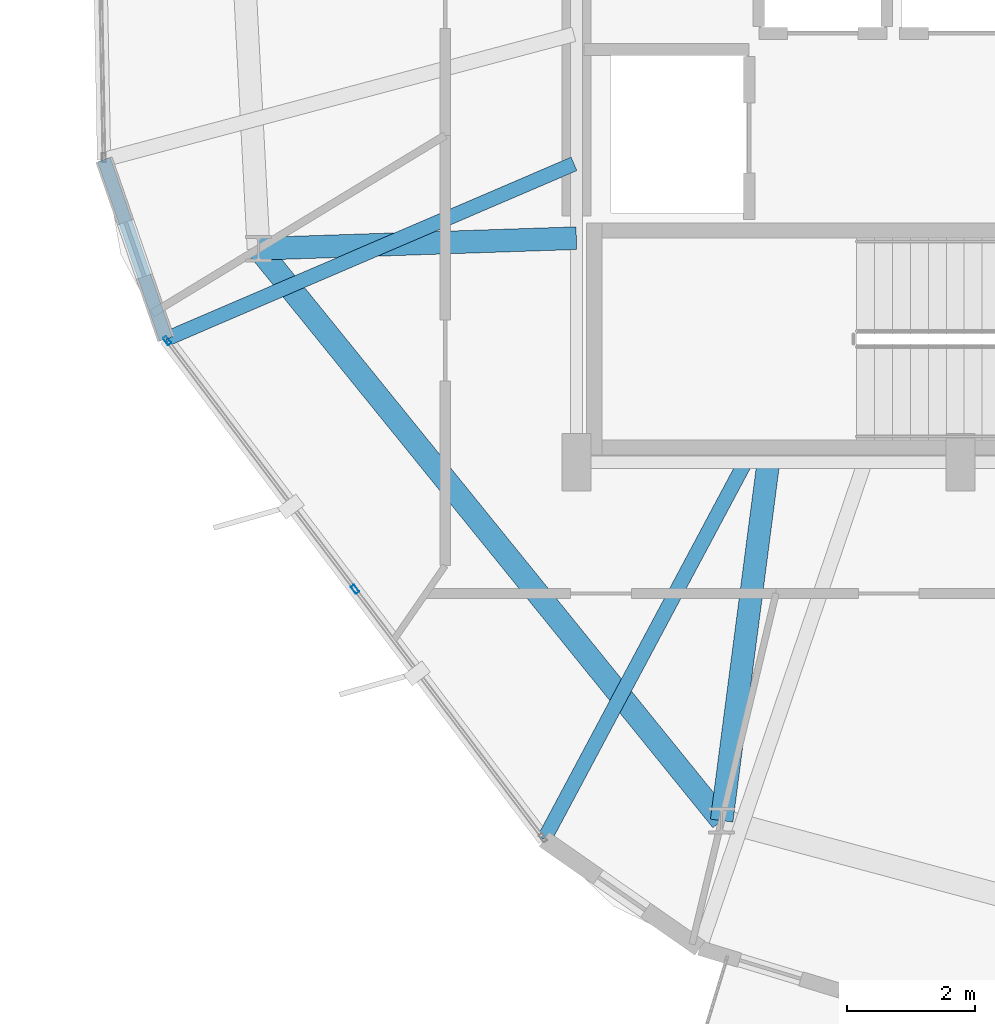
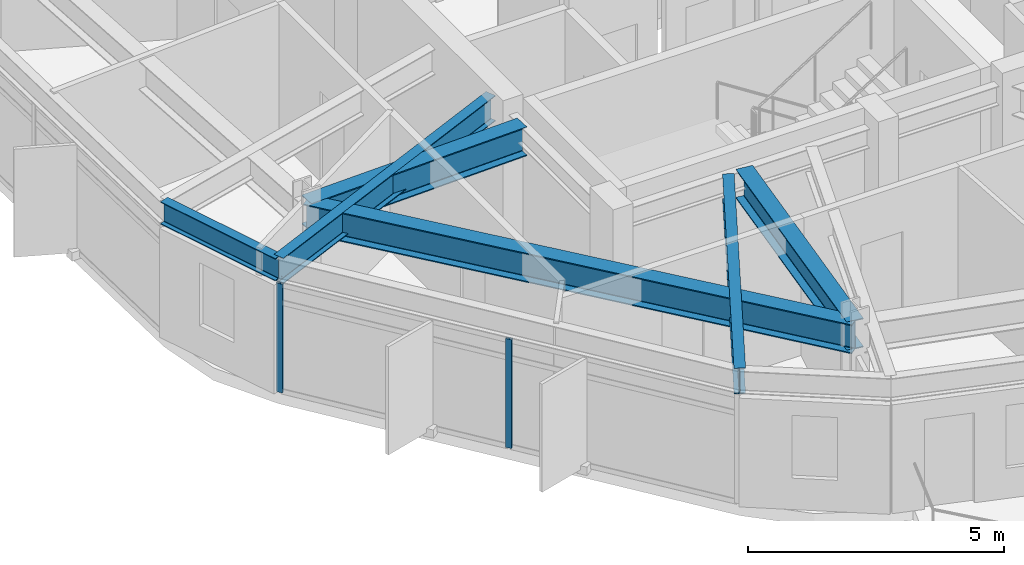
# One storey, part 4 of 34: 6 beams, 2 members, 1 element without a shape of its own.
"""IFC4 building model written with IfcOpenShell, lengths in metres."""

import ifcopenshell
import ifcopenshell.guid

model = None  # the IFC model being written
_history = None  # IfcOwnerHistory: only IFC2X3 demands one
_inside = {}  # id of a spatial element -> (the spatial element, [elements in it])
_under = {}  # id of a project, library or spatial element -> (it, [spatial elements below it])
_declared = {}  # id of a project -> (the project, [libraries it declares])
_typed = {}  # id of a type object -> (the type object, [elements of that type])
_made_of = {}  # id of a material, layer set ... -> (it, [elements and type objects made of it])


def new_model(schema):
    """Start an empty IFC model of exactly this schema.

    Asked for "IFC4X3", IfcOpenShell would pick the latest addendum, in which some entities
    have other attributes; the version numbers below select the first issue.
    IFC2X3 requires an IfcOwnerHistory on every rooted entity: one is made here for all.
    """
    global model, _history
    if schema == "IFC4X3":
        model = ifcopenshell.file(schema_version=(4, 3, 0, 0))
    else:
        model = ifcopenshell.file(schema=schema)
    _inside.clear()
    _under.clear()
    _declared.clear()
    _typed.clear()
    _made_of.clear()
    _history = None
    if model.schema == "IFC2X3":
        org = make("IfcOrganization", Name="unknown")
        user = make(
            "IfcPersonAndOrganization",
            ThePerson=make("IfcPerson", FamilyName="unknown"),
            TheOrganization=org,
        )
        app = make(
            "IfcApplication",
            ApplicationDeveloper=org,
            Version="unknown",
            ApplicationFullName="unknown",
            ApplicationIdentifier="unknown",
        )
        _history = make(
            "IfcOwnerHistory",
            OwningUser=user,
            OwningApplication=app,
            ChangeAction="ADDED",
            CreationDate=0,
        )
    return model


def make(cls, **values):
    """One entity of the class cls with the attributes given. An attribute that is None is left unset."""
    return model.create_entity(
        cls, **{name: value for name, value in values.items() if value is not None}
    )


def rooted(cls, **values):
    """An entity with a GlobalId (a new one), such as an element, a storey or a relation."""
    return make(cls, GlobalId=ifcopenshell.guid.new(), OwnerHistory=_history, **values)


def si_unit(unit_type, name, prefix=None):
    """IfcSIUnit, for example si_unit("LENGTHUNIT", "METRE", prefix="MILLI")."""
    return make("IfcSIUnit", UnitType=unit_type, Prefix=prefix, Name=name)


def assignment(units):
    """IfcUnitAssignment: the units of a project."""
    return None if units is None else make("IfcUnitAssignment", Units=units)


def point(xyz):
    """IfcCartesianPoint."""
    return None if xyz is None else make("IfcCartesianPoint", Coordinates=xyz)


def direction(xyz):
    """IfcDirection."""
    return None if xyz is None else make("IfcDirection", DirectionRatios=xyz)


def frame(location, z_axis=None, x_axis=None):
    """IfcAxis2Placement3D, a coordinate frame: its origin and axes. An axis left out is left unset."""
    return make(
        "IfcAxis2Placement3D",
        Location=point(location),
        Axis=direction(z_axis),
        RefDirection=direction(x_axis),
    )


def frame_2d(location, x_axis=None):
    """IfcAxis2Placement2D, a coordinate frame in the plane: its origin and x axis."""
    return make(
        "IfcAxis2Placement2D", Location=point(location), RefDirection=direction(x_axis)
    )


def origin():
    """The frame at (0, 0, 0) with its axes left unset."""
    return frame((0.0, 0.0, 0.0))


def origin_2d():
    """The frame at (0, 0) in the plane with its x axis left unset."""
    return frame_2d((0.0, 0.0))


def place(relative_to, where):
    """IfcLocalPlacement: puts the frame where relative to a parent placement (None: the world)."""
    return make(
        "IfcLocalPlacement", PlacementRelTo=relative_to, RelativePlacement=where
    )


def context(
    kind, dimensions, precision=None, world=None, true_north=None, identifier=None
):
    """IfcGeometricRepresentationContext, for example the 3D "Model" context."""
    return make(
        "IfcGeometricRepresentationContext",
        ContextIdentifier=identifier,
        ContextType=kind,
        CoordinateSpaceDimension=dimensions,
        Precision=precision,
        WorldCoordinateSystem=world,
        TrueNorth=true_north,
    )


def subcontext(parent, identifier, kind, view, scale=None):
    """IfcGeometricRepresentationSubContext, for example "Body" below "Model"."""
    return make(
        "IfcGeometricRepresentationSubContext",
        ContextIdentifier=identifier,
        ContextType=kind,
        ParentContext=parent,
        TargetScale=scale,
        TargetView=view,
    )


def project(units=None, contexts=None):
    """IfcProject with its units and contexts."""
    return rooted(
        "IfcProject",
        Name="project",
        RepresentationContexts=contexts,
        UnitsInContext=assignment(units),
    )


def spatial(cls, under=None, at=None, **own):
    """A site, building, storey or space (cls), placed at a placement, below another one or the project."""
    s = rooted(cls, ObjectPlacement=at, **own)
    if under is not None:
        _under.setdefault(under.id(), (under, []))[1].append(s)
    return s


def profile(cls, at=None, kind="AREA", **sizes):
    """A parametric profile (cls). Its sizes go by their IFC names, for example OverallWidth=200.0."""
    return make(cls, ProfileType=kind, Position=at, **sizes)


def hollow_rectangle(**sizes):
    """IfcRectangleHollowProfileDef."""
    return profile("IfcRectangleHollowProfileDef", **sizes)


def i_section(**sizes):
    """IfcIShapeProfileDef."""
    return profile("IfcIShapeProfileDef", **sizes)


def extrude(swept, where, along, depth):
    """IfcExtrudedAreaSolid: the profile swept, set in the frame where, extruded along a direction by depth."""
    return make(
        "IfcExtrudedAreaSolid",
        SweptArea=swept,
        Position=where,
        ExtrudedDirection=direction(along),
        Depth=depth,
    )


def shape(context_of_items, identifier, shape_type, items):
    """IfcShapeRepresentation: the items that make up one representation, for example the "Body"."""
    return make(
        "IfcShapeRepresentation",
        ContextOfItems=context_of_items,
        RepresentationIdentifier=identifier,
        RepresentationType=shape_type,
        Items=items,
    )


def material(Name=None, Category=None):
    """IfcMaterial."""
    return make("IfcMaterial", Name=Name, Category=Category)


def layer(
    of_material, thickness, ventilated=None, Name=None, Category=None, Priority=None
):
    """IfcMaterialLayer: one layer of a wall or slab, of a material (None: an air gap)."""
    return make(
        "IfcMaterialLayer",
        Material=of_material,
        LayerThickness=thickness,
        IsVentilated=ventilated,
        Name=Name,
        Category=Category,
        Priority=Priority,
    )


def layer_set(layers, Name=None):
    """IfcMaterialLayerSet."""
    return make("IfcMaterialLayerSet", MaterialLayers=layers, LayerSetName=Name)


def material_profile(
    of_material, cross_section, Name=None, Category=None, Priority=None
):
    """IfcMaterialProfile: a cross section and its material."""
    return make(
        "IfcMaterialProfile",
        Name=Name,
        Material=of_material,
        Profile=cross_section,
        Priority=Priority,
        Category=Category,
    )


def profile_set(profiles, Name=None, composite=None):
    """IfcMaterialProfileSet."""
    return make(
        "IfcMaterialProfileSet",
        Name=Name,
        MaterialProfiles=profiles,
        CompositeProfile=composite,
    )


def made_of(thing, what):
    """Note that an element or type object is made of a material, layer set ...; save() writes the relation."""
    if what is not None:
        _made_of.setdefault(what.id(), (what, []))[1].append(thing)
    return thing


def type_object(cls, material=None, **own):
    """A type object (cls), such as IfcWallType, which elements share."""
    return made_of(rooted(cls, **own), material)


def element(
    cls,
    number,
    at=None,
    inside=None,
    cuts=None,
    type_object=None,
    material=None,
    context=None,
    identifier="Body",
    shape_type=None,
    held_by="IfcProductDefinitionShape",
    body=None,
    shapes=None,
    **own,
):
    """One element of the class cls, such as IfcWall. Its Tag is "e" and its number.

    at: its placement. inside: the storey or other place that contains it. cuts: it is an
    opening in that element (IfcRelVoidsElement). A single representation is given by context,
    identifier, shape_type and body (its items); several are given by shapes. held_by: the class
    of the entity that holds the representations. save() writes the other relations.
    """
    e = rooted(cls, Tag="e%d" % number, ObjectPlacement=at, **own)
    if body is not None:
        shapes = [shape(context, identifier, shape_type, body)]
    if shapes is not None:
        e.Representation = make(held_by, Representations=shapes)
    if inside is not None:
        _inside.setdefault(inside.id(), (inside, []))[1].append(e)
    if cuts is not None:
        rooted(
            "IfcRelVoidsElement", RelatingBuildingElement=cuts, RelatedOpeningElement=e
        )
    if type_object is not None:
        _typed.setdefault(type_object.id(), (type_object, []))[1].append(e)
    return made_of(e, material)


def aggregate(whole, parts):
    """IfcRelAggregates: a whole, such as a stair, and the parts it consists of."""
    return rooted("IfcRelAggregates", RelatingObject=whole, RelatedObjects=parts)


def save(model, path):
    """Write the relations noted so far, then the file.

    IfcRelAggregates (storeys below a building ...), IfcRelContainedInSpatialStructure (elements
    in a storey), IfcRelDefinesByType, IfcRelAssociatesMaterial and IfcRelDeclares: one each for
    every whole, place, type object, material and project.
    """
    for whole, parts in _under.values():
        aggregate(whole, parts)
    for where, things in _inside.values():
        rooted(
            "IfcRelContainedInSpatialStructure",
            RelatedElements=things,
            RelatingStructure=where,
        )
    for kind, things in _typed.values():
        rooted("IfcRelDefinesByType", RelatedObjects=things, RelatingType=kind)
    for what, things in _made_of.values():
        rooted("IfcRelAssociatesMaterial", RelatedObjects=things, RelatingMaterial=what)
    for by, libraries in _declared.values():
        rooted("IfcRelDeclares", RelatingContext=by, RelatedDefinitions=libraries)
    model.write(path)


model = new_model("IFC4")

# Units and contexts
model_context = context("Model", 3, precision=1e-05, world=origin(), true_north=direction((0.0, 1.0)))
body_context = subcontext(model_context, "Body", "Model", "MODEL_VIEW")
ifc_project = project(units=[si_unit("LENGTHUNIT", "METRE"), si_unit("AREAUNIT", "SQUARE_METRE"), si_unit("VOLUMEUNIT", "CUBIC_METRE"), si_unit("PLANEANGLEUNIT", "RADIAN"), si_unit("MASSUNIT", "GRAM", prefix="KILO")], contexts=[model_context])

# Site, building, storey
site_placement = place(None, origin())
site = spatial("IfcSite", under=ifc_project, at=site_placement, CompositionType="ELEMENT")
building_placement = place(site_placement, origin())
building = spatial("IfcBuilding", under=site, at=building_placement, Name="Soratama Intermodal Tower", CompositionType="ELEMENT")
storey_placement = place(building_placement, frame((0.0, 0.0, 233.800048828125)))
storey = spatial("IfcBuildingStorey", under=building, at=storey_placement, Name="L59", CompositionType="ELEMENT", Elevation=233.800048828125)

# Beams
ifc_material_1 = material(Name="Structural steel ASTM A992 Grade 50", Category="steel")
ifc_material_profile_1 = material_profile(ifc_material_1, i_section(OverallWidth=0.35498046875, OverallDepth=0.695068359375, WebThickness=0.015380859375, FlangeThickness=0.02490234375, FilletRadius=0.01611328125, at=origin_2d()), Name="W27X146")
ifc_profile_set_1 = profile_set([ifc_material_profile_1], Name="Structural steel ASTM A992 Grade 50")
beam_type_1 = type_object("IfcBeamType", Name="BM-RING-W27X146", PredefinedType="BEAM", material=ifc_profile_set_1)
beam_1_placement = place(storey_placement, frame((27.635009765625, 18.333984375, 2.87255859375), z_axis=(0.629384551156, -0.777094001242, 0.0), x_axis=(0.777094001242, 0.629384551156, 0.0)))
element("IfcBeam", 1, at=beam_1_placement, inside=storey, type_object=beam_type_1, Name="BM-L59-RING-06", PredefinedType="BEAM", context=body_context, shape_type="SweptSolid", body=[
    extrude(i_section(OverallWidth=0.35498046875, OverallDepth=0.695068359375, WebThickness=0.015380859375, FlangeThickness=0.02490234375, FilletRadius=0.01611328125, at=origin_2d()), origin(), (0.0, 0.0, 1.0), 11.49560546875),
])
beam_2_placement = place(storey_placement, frame((32.60009765625, 18.5, 2.87255859375), z_axis=(-0.999441465401, -0.033417917907, 0.0), x_axis=(0.033417917907, -0.999441465401, 0.0)))
element("IfcBeam", 2, at=beam_2_placement, inside=storey, type_object=beam_type_1, Name="BM-L59-RAD-06", PredefinedType="BEAM", context=body_context, shape_type="SweptSolid", body=[
    extrude(i_section(OverallWidth=0.35498046875, OverallDepth=0.695068359375, WebThickness=0.015380859375, FlangeThickness=0.02490234375, FilletRadius=0.01611328125, at=origin_2d()), origin(), (0.0, 0.0, 1.0), 4.9677734375),
])
beam_3_placement = place(storey_placement, frame((35.60009765625, 15.0, 2.87255859375), z_axis=(-0.129280033694, -0.991608124658, 0.0), x_axis=(0.991608124658, -0.129280033694, 0.0)))
element("IfcBeam", 3, at=beam_3_placement, inside=storey, type_object=beam_type_1, Name="BM-L59-RAD-07", PredefinedType="BEAM", context=body_context, shape_type="SweptSolid", body=[
    extrude(i_section(OverallWidth=0.35498046875, OverallDepth=0.695068359375, WebThickness=0.015380859375, FlangeThickness=0.02490234375, FilletRadius=0.01611328125, at=origin_2d()), origin(), (0.0, 0.0, 1.0), 5.646484375),
])
ifc_material_2 = material(Name="Structural steel ASTM A992 Grade 50", Category="steel")
ifc_material_profile_2 = material_profile(ifc_material_2, i_section(OverallWidth=0.2099609375, OverallDepth=0.537109375, WebThickness=0.010986328125, FlangeThickness=0.017333984375, FilletRadius=0.012939453125, at=origin_2d()), Name="W21X68")
ifc_profile_set_2 = profile_set([ifc_material_profile_2], Name="Structural steel ASTM A992 Grade 50")
beam_type_2 = type_object("IfcBeamType", Name="BM-SPN-W21X68", PredefinedType="SPANDREL", material=ifc_profile_set_2)
beam_4_placement = place(storey_placement, frame((25.218994140625, 19.72705078125, 2.951416015625), z_axis=(0.327022923198, -0.94501640605, 0.0), x_axis=(0.94501640605, 0.327022923198, 0.0)))
element("IfcBeam", 4, at=beam_4_placement, inside=storey, type_object=beam_type_2, Name="BS-L59-CRN04", PredefinedType="SPANDREL", context=body_context, shape_type="SweptSolid", body=[
    extrude(i_section(OverallWidth=0.2099609375, OverallDepth=0.537109375, WebThickness=0.010986328125, FlangeThickness=0.017333984375, FilletRadius=0.012939453125, at=origin_2d()), origin(), (0.0, 0.0, 1.0), 2.966064453125),
])
ifc_material_3 = material(Name="Structural steel ASTM A992 Grade 50", Category="steel")
ifc_material_profile_3 = material_profile(ifc_material_3, i_section(OverallWidth=0.22900390625, OverallDepth=0.612060546875, WebThickness=0.011962890625, FlangeThickness=0.01953125, FilletRadius=0.012939453125, at=origin_2d()), Name="W24X84")
ifc_profile_set_3 = profile_set([ifc_material_profile_3], Name="Structural steel ASTM A992 Grade 50")
beam_type_3 = type_object("IfcBeamType", Name="BM-TIE-W24X84", PredefinedType="BEAM", material=ifc_profile_set_3)
beam_5_placement = place(storey_placement, frame((32.56298828125, 19.660888671875, 2.9140625), z_axis=(-0.918879035561, -0.394539374469, 0.0), x_axis=(0.394539374469, -0.918879035561, 0.0)))
element("IfcBeam", 5, at=beam_5_placement, inside=storey, type_object=beam_type_3, Name="BM-L59-TIE0-05", PredefinedType="BEAM", context=body_context, shape_type="SweptSolid", body=[
    extrude(i_section(OverallWidth=0.22900390625, OverallDepth=0.612060546875, WebThickness=0.011962890625, FlangeThickness=0.01953125, FilletRadius=0.012939453125, at=origin_2d()), origin(), (0.0, 0.0, 1.0), 6.936767578125),
])
beam_6_placement = place(storey_placement, frame((35.219970703125, 14.965087890625, 2.9140625), z_axis=(-0.470550061966, -0.882373299224, 0.0), x_axis=(0.882373299224, -0.470550061966, 0.0)))
element("IfcBeam", 6, at=beam_6_placement, inside=storey, type_object=beam_type_3, Name="BM-L59-TIE1-05", PredefinedType="BEAM", context=body_context, shape_type="SweptSolid", body=[
    extrude(i_section(OverallWidth=0.22900390625, OverallDepth=0.612060546875, WebThickness=0.011962890625, FlangeThickness=0.01953125, FilletRadius=0.012939453125, at=origin_2d()), origin(), (0.0, 0.0, 1.0), 6.63916015625),
])

# Curtain wall, members
ifc_material_4 = material(Name="Double-glazed aluminium curtain wall", Category="aluminium")
ifc_layer = layer(ifc_material_4, 0.159912109375)
ifc_layer_set = layer_set([ifc_layer], Name="Double-glazed aluminium curtain wall")
curtain_wall_type = type_object("IfcCurtainWallType", Name="CW-SYS-5", PredefinedType="NOTDEFINED", material=ifc_layer_set)
curtain_wall_placement = place(storey_placement, origin())
curtain_wall = element("IfcCurtainWall", 7, at=curtain_wall_placement, inside=storey, type_object=curtain_wall_type, Name="L59 Faceted Curtain Wall F05", PredefinedType="NOTDEFINED")
ifc_material_5 = material(Name="Anodised aluminium AA 6063-T6", Category="aluminium")
ifc_material_profile_4 = material_profile(ifc_material_5, hollow_rectangle(XDim=0.06494140625, YDim=0.139892578125, WallThickness=0.0048828125, InnerFilletRadius=0.0048828125, OuterFilletRadius=0.010009765625, at=origin_2d()), Name="CWM140X65X5")
ifc_profile_set_4 = profile_set([ifc_material_profile_4], Name="Anodised aluminium AA 6063-T6")
member_type = type_object("IfcMemberType", Name="MT-CWM-5", PredefinedType="MULLION", material=ifc_profile_set_4)
member_1_placement = place(storey_placement, frame((26.20654296875, 16.89990234375, 0.0), z_axis=(0.0, 0.0, 1.0), x_axis=(0.797793680769, 0.602930545689, 0.0)))
member_1 = element("IfcMember", 8, at=member_1_placement, type_object=member_type, Name="CW-5 mullion 1", PredefinedType="MULLION", context=body_context, shape_type="SweptSolid", body=[
    extrude(hollow_rectangle(XDim=0.06494140625, YDim=0.139892578125, WallThickness=0.0048828125, InnerFilletRadius=0.0048828125, OuterFilletRadius=0.010009765625, at=origin_2d()), origin(), (0.0, 0.0, 1.0), 2.598876953125),
])
member_2_placement = place(storey_placement, frame((29.14208984375, 13.015625, 0.0), z_axis=(0.0, 0.0, 1.0), x_axis=(0.797793680769, 0.602930545689, 0.0)))
member_2 = element("IfcMember", 9, at=member_2_placement, type_object=member_type, Name="CW-5 mullion 2", PredefinedType="MULLION", context=body_context, shape_type="SweptSolid", body=[
    extrude(hollow_rectangle(XDim=0.06494140625, YDim=0.139892578125, WallThickness=0.0048828125, InnerFilletRadius=0.0048828125, OuterFilletRadius=0.010009765625, at=origin_2d()), origin(), (0.0, 0.0, 1.0), 2.598876953125),
])
aggregate(curtain_wall, [member_1, member_2])

save(model, "model.ifc")
